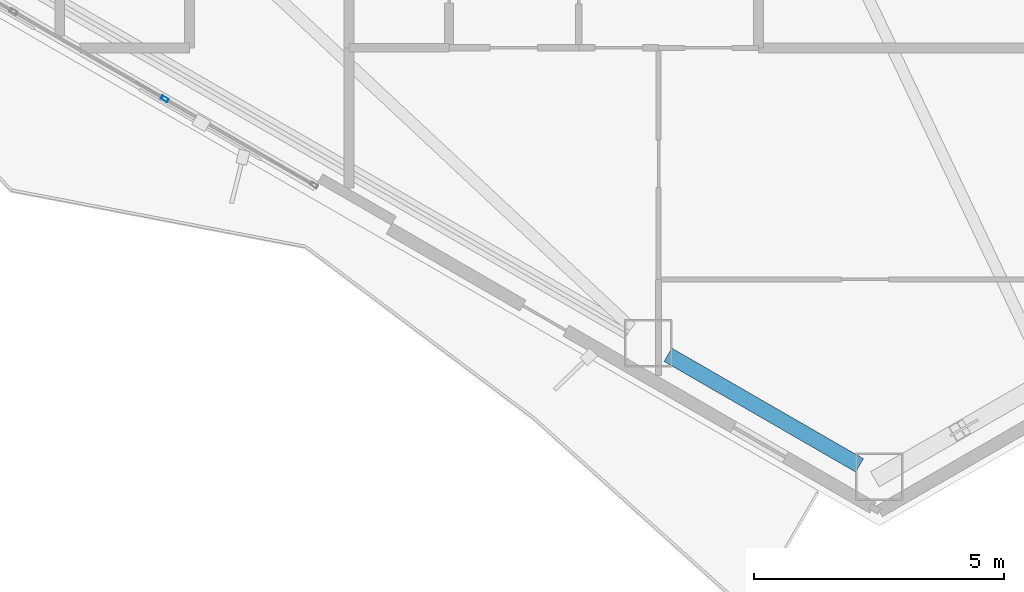
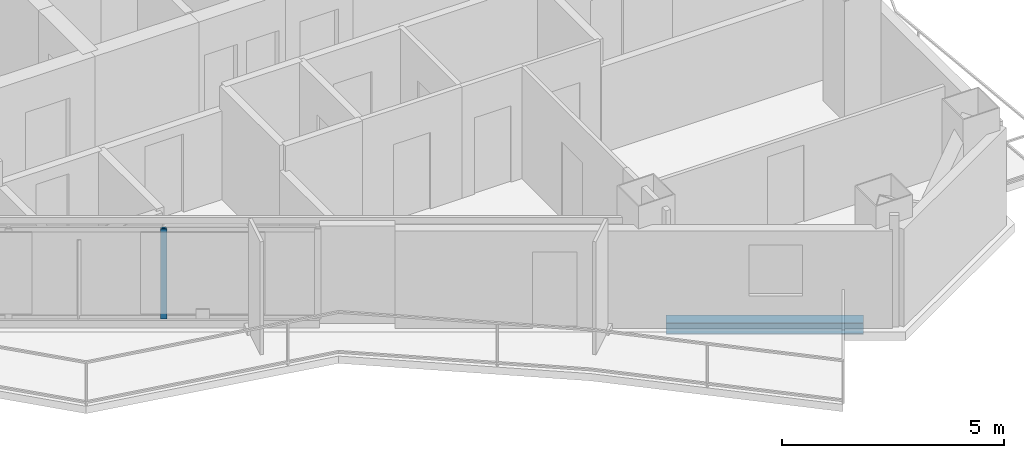
# One storey, part 3 of 19: 1 beam, 1 member, 1 element without a shape of its own.
"""IFC4 building model written with IfcOpenShell, lengths in metres."""

from ifc_helpers import new_model, si_unit, direction, frame, origin, origin_2d, place, context, subcontext, project, spatial, hollow_rectangle, i_section, extrude, material, layer, layer_set, material_profile, profile_set, type_object, element, aggregate, save


model = new_model("IFC4")

# Units and contexts
model_context = context("Model", 3, precision=1e-05, world=origin(), true_north=direction((0.0, 1.0)))
body_context = subcontext(model_context, "Body", "Model", "MODEL_VIEW")
ifc_project = project(units=[si_unit("LENGTHUNIT", "METRE"), si_unit("AREAUNIT", "SQUARE_METRE"), si_unit("VOLUMEUNIT", "CUBIC_METRE"), si_unit("PLANEANGLEUNIT", "RADIAN"), si_unit("MASSUNIT", "GRAM", prefix="KILO")], contexts=[model_context])

# Site, building, storey
site_placement = place(None, origin())
site = spatial("IfcSite", under=ifc_project, at=site_placement, CompositionType="ELEMENT")
building_placement = place(site_placement, origin())
building = spatial("IfcBuilding", under=site, at=building_placement, Name="Mersakhor Tower and Convention Hall", CompositionType="ELEMENT")
storey_placement = place(building_placement, frame((0.0, 0.0, 131.10009765625)))
storey = spatial("IfcBuildingStorey", under=building, at=storey_placement, Name="L36", CompositionType="ELEMENT", Elevation=131.10009765625)

# Beam
ifc_material_1 = material(Name="Steel S355", Category="steel")
ifc_material_profile_1 = material_profile(ifc_material_1, i_section(OverallWidth=0.30908203125, OverallDepth=0.320556640625, WebThickness=0.013916015625, FlangeThickness=0.021728515625, at=origin_2d()), Name="UC 305x305x137")
ifc_profile_set_1 = profile_set([ifc_material_profile_1], Name="Steel S355")
beam_type = type_object("IfcBeamType", Name="BM-SPD-UC305", PredefinedType="SPANDREL", material=ifc_profile_set_1)
beam_placement = place(storey_placement, frame((37.826416015625, 7.082763671875, -0.400390625), z_axis=(-0.866038875684, 0.49997666526, 0.0), x_axis=(-0.49997666526, -0.866038875684, 0.0)))
element("IfcBeam", 1, at=beam_placement, inside=storey, type_object=beam_type, Name="L36 Perimeter Spandrel Beam SPB-09", PredefinedType="SPANDREL", context=body_context, shape_type="SweptSolid", body=[
    extrude(i_section(OverallWidth=0.30908203125, OverallDepth=0.320556640625, WebThickness=0.013916015625, FlangeThickness=0.021728515625, at=origin_2d()), origin(), (0.0, 0.0, 1.0), 4.433837890625),
])

# Curtain wall, member
ifc_material_2 = material(Name="Dark solar low-E aluminium curtain wall", Category="aluminium")
ifc_layer = layer(ifc_material_2, 0.169921875)
ifc_layer_set = layer_set([ifc_layer], Name="Dark solar low-E aluminium curtain wall")
curtain_wall_type = type_object("IfcCurtainWallType", Name="CW-SYS-02", PredefinedType="USERDEFINED", material=ifc_layer_set)
curtain_wall_placement = place(storey_placement, origin())
curtain_wall = element("IfcCurtainWall", 2, at=curtain_wall_placement, inside=storey, type_object=curtain_wall_type, Name="L36 Dark-Glass Curtain Wall F3-B2", ObjectType="CURTAIN WALL", PredefinedType="USERDEFINED")
ifc_material_3 = material(Name="Anodised aluminium EN AW-6063 T6", Category="aluminium")
ifc_material_profile_2 = material_profile(ifc_material_3, hollow_rectangle(XDim=0.074951171875, YDim=0.14990234375, WallThickness=0.00634765625, at=origin_2d()), Name="RHS 150x75x6.3")
ifc_profile_set_2 = profile_set([ifc_material_profile_2], Name="Anodised aluminium EN AW-6063 T6")
member_type = type_object("IfcMemberType", Name="CWM-150x75", PredefinedType="MULLION", material=ifc_profile_set_2)
member_placement = place(storey_placement, frame((23.904052734375, 14.427978515625, 0.199951171875), z_axis=(0.0, 0.0, 1.0), x_axis=(-0.499990468363, -0.866030906807, 0.0)))
member = element("IfcMember", 3, at=member_placement, type_object=member_type, Name="CW-02 mullion 2", PredefinedType="MULLION", context=body_context, shape_type="SweptSolid", body=[
    extrude(hollow_rectangle(XDim=0.074951171875, YDim=0.14990234375, WallThickness=0.00634765625, at=origin_2d()), origin(), (0.0, 0.0, 1.0), 2.47998046875),
])
aggregate(curtain_wall, [member])

save(model, "model.ifc")
